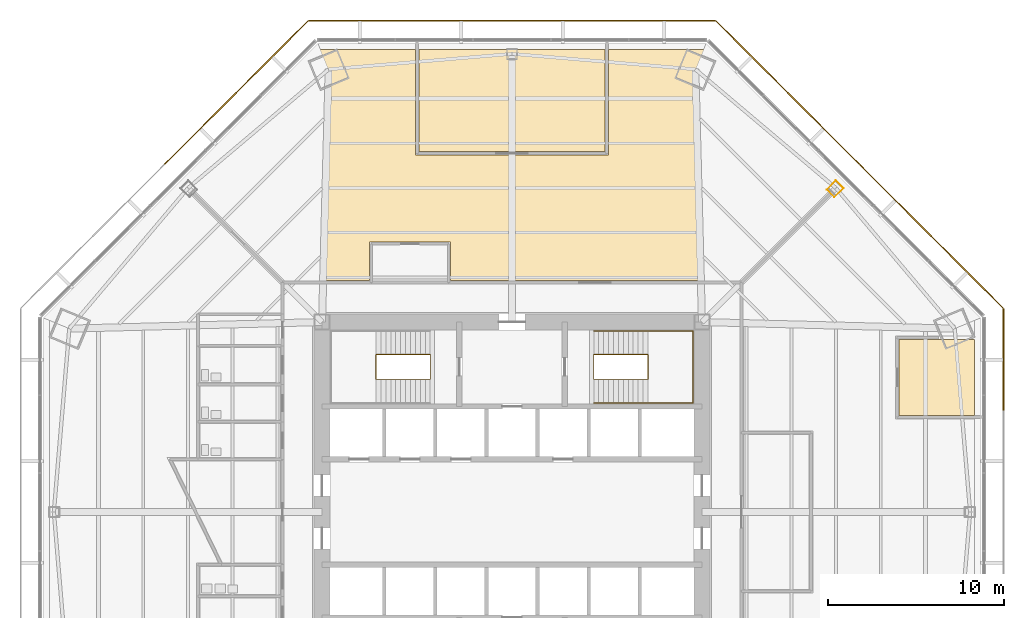
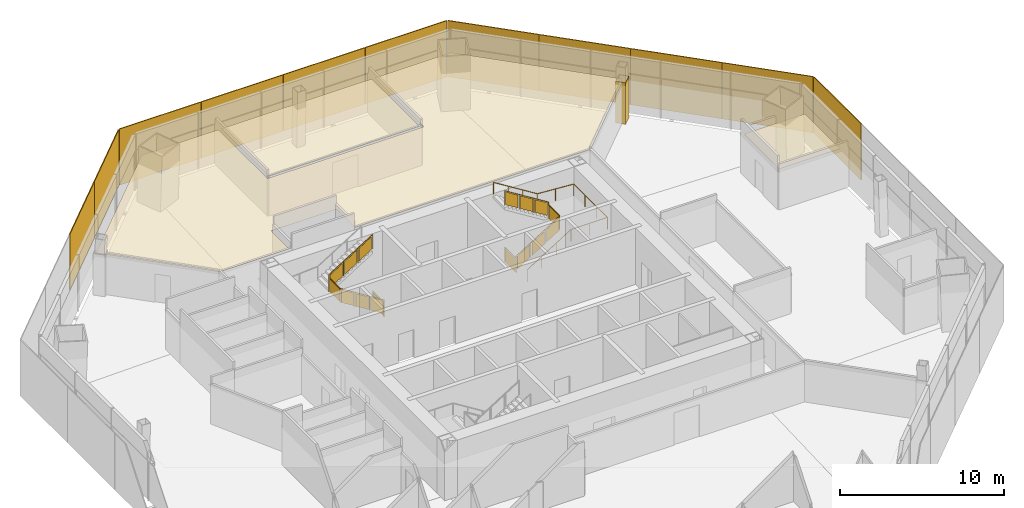
# One storey, part 13 of 14: 11 shading devices, 4 coverings, 3 railings.
"""IFC4 building model written with IfcOpenShell, lengths in metres."""

from ifc_helpers import new_model, si_unit, direction, frame, origin, origin_2d, place, context, subcontext, project, spatial, polyline, rectangle, circle, outline, extrude, source, transform, mapped, material, layer, layer_set, type_object, type_shapes, element, save


model = new_model("IFC4")

# Units and contexts
model_context = context("Model", 3, precision=1e-05, world=origin(), true_north=direction((0.0, 1.0)))
body_context = subcontext(model_context, "Body", "Model", "MODEL_VIEW")
ifc_project = project(units=[si_unit("LENGTHUNIT", "METRE"), si_unit("AREAUNIT", "SQUARE_METRE"), si_unit("VOLUMEUNIT", "CUBIC_METRE"), si_unit("PLANEANGLEUNIT", "RADIAN"), si_unit("MASSUNIT", "GRAM", prefix="KILO")], contexts=[model_context])

# Site, building, storey
site_placement = place(None, origin())
site = spatial("IfcSite", under=ifc_project, at=site_placement, CompositionType="ELEMENT")
building_placement = place(site_placement, origin())
building = spatial("IfcBuilding", under=site, at=building_placement, Name="Mashrafa Tower", CompositionType="ELEMENT")
storey_placement = place(building_placement, frame((0.0, 0.0, 41.39990234375)))
storey = spatial("IfcBuildingStorey", under=building, at=storey_placement, Name="L08", CompositionType="ELEMENT", Elevation=41.39990234375)

# Covering
ifc_material_1 = material(Name="Gypsum board")
ifc_layer_1 = layer(ifc_material_1, 0.014892578125)
ifc_layer_set_1 = layer_set([ifc_layer_1], Name="Column casing plasterboard 15")
covering_type_1 = type_object("IfcCoveringType", Name="Column casing plasterboard 15", PredefinedType="CLADDING", material=ifc_layer_set_1)
covering_1_placement = place(storey_placement, origin())
element("IfcCovering", 1, at=covering_1_placement, inside=storey, type_object=covering_type_1, Name="Column casing L08-001", PredefinedType="CLADDING", context=body_context, shape_type="SweptSolid", body=[
    extrude(outline(polyline([(17.885986328125, 18.33154296875), (18.415771484375, 18.861083984375), (18.861083984375, 18.415771484375), (18.33154296875, 17.885986328125), (17.885986328125, 18.33154296875)]), holes=[polyline([(18.83984375, 18.415771484375), (18.415771484375, 18.83984375), (17.9072265625, 18.33154296875), (18.33154296875, 17.9072265625), (18.83984375, 18.415771484375)])]), origin(), (0.0, 0.0, 1.0), 3.097900390625),
])

# Railings
ifc_material_2 = material(Name="Steel guard with glass infill", Category="steel")
railing_type_1 = type_object("IfcRailingType", Name="Stair guard 1100", PredefinedType="GUARDRAIL", material=ifc_material_2)
railing_1_placement = place(storey_placement, frame((-4.64990234375, 8.949951171875, 0.0)))
element("IfcRailing", 2, at=railing_1_placement, inside=storey, type_object=railing_type_1, Name="Stair S1 guard L08", PredefinedType="GUARDRAIL", context=body_context, shape_type="SweptSolid", body=[
    extrude(circle(Radius=0.02392578125, at=origin_2d()), frame((0.0, 0.0, 1.076171875), z_axis=(0.0, -1.0, 0.0), x_axis=(1.0, 0.0, 0.0)), (0.0, 0.0, 1.0), 1.39990234375),
    extrude(circle(Radius=0.02392578125, at=origin_2d()), frame((0.0, -1.39990234375, 1.076171875), z_axis=(0.0, 0.0, 1.0), x_axis=(1.0, 0.0, 0.0)), (0.0, 0.0, 1.0), 0.175048828125),
    extrude(circle(Radius=0.02392578125, at=origin_2d()), frame((0.0, -1.39990234375, 1.2509765625), z_axis=(-0.847998304005, 0.0, 0.529998940003), x_axis=(0.0, -1.0, 0.0)), (0.0, 0.0, 1.0), 3.632080078125),
    extrude(circle(Radius=0.02392578125, at=origin_2d()), frame((-3.080078125, -1.39990234375, 3.17626953125), z_axis=(0.0, 1.0, 0.0), x_axis=(-1.0, 0.0, 0.0)), (0.0, 0.0, 1.0), 1.39990234375),
    extrude(circle(Radius=0.02392578125, at=origin_2d()), frame((-3.080078125, 0.0, 3.17626953125), z_axis=(0.0, 0.0, 1.0), x_axis=(1.0, 0.0, 0.0)), (0.0, 0.0, 1.0), 0.175048828125),
    extrude(circle(Radius=0.02392578125, at=origin_2d()), frame((-3.080078125, 0.0, 3.35107421875), z_axis=(0.847998304005, 0.0, 0.529998940003), x_axis=(0.0, 1.0, 0.0)), (0.0, 0.0, 1.0), 3.632080078125),
    extrude(circle(Radius=0.02099609375, at=origin_2d()), origin(), (0.0, 0.0, 1.0), 1.052001953125),
    extrude(circle(Radius=0.02099609375, at=origin_2d()), frame((0.0, -1.39990234375, 0.0)), (0.0, 0.0, 1.0), 1.052001953125),
    extrude(circle(Radius=0.02099609375, at=origin_2d()), frame((0.0, -1.39990234375, 0.175048828125)), (0.0, 0.0, 1.0), 1.052001953125),
    extrude(circle(Radius=0.02099609375, at=origin_2d()), frame((-1.026611328125, -1.39990234375, 0.816650390625)), (0.0, 0.0, 1.0), 1.052001953125),
    extrude(circle(Radius=0.02099609375, at=origin_2d()), frame((-2.053466796875, -1.39990234375, 1.45849609375)), (0.0, 0.0, 1.0), 1.052001953125),
    extrude(circle(Radius=0.02099609375, at=origin_2d()), frame((-3.080078125, -1.39990234375, 2.10009765625)), (0.0, 0.0, 1.0), 1.052001953125),
    extrude(circle(Radius=0.02099609375, at=origin_2d()), frame((-3.080078125, 0.0, 2.10009765625)), (0.0, 0.0, 1.0), 1.052001953125),
    extrude(circle(Radius=0.02099609375, at=origin_2d()), frame((-3.080078125, 0.0, 2.275146484375)), (0.0, 0.0, 1.0), 1.052001953125),
    extrude(circle(Radius=0.02099609375, at=origin_2d()), frame((-2.053466796875, 0.0, 2.916748046875)), (0.0, 0.0, 1.0), 1.052001953125),
    extrude(circle(Radius=0.02099609375, at=origin_2d()), frame((-1.026611328125, 0.0, 3.55859375)), (0.0, 0.0, 1.0), 1.052001953125),
    extrude(circle(Radius=0.02099609375, at=origin_2d()), frame((0.0, 0.0, 4.2001953125)), (0.0, 0.0, 1.0), 1.052001953125),
    extrude(outline(polyline([(0.071044921875, 0.050048828125), (1.328857421875, 0.050048828125), (1.328857421875, 1.001953125), (0.071044921875, 1.001953125), (0.071044921875, 0.050048828125)])), frame((-0.006103515625, 0.0, 0.0), z_axis=(-1.0, 0.0, 0.0), x_axis=(0.0, -1.0, 0.0)), (0.0, 0.0, 1.0), 0.011962890625),
    extrude(outline(polyline([(0.071044921875, 0.094482421875), (0.955810546875, 0.647216796875), (0.955810546875, 1.599365234375), (0.071044921875, 1.04638671875), (0.071044921875, 0.094482421875)])), frame((0.0, -1.393798828125, 0.175048828125), z_axis=(0.0, 1.0, 0.0), x_axis=(-1.0, 0.0, 0.0)), (0.0, 0.0, 1.0), 0.011962890625),
    extrude(outline(polyline([(1.09765625, 0.736083984375), (1.982421875, 1.2890625), (1.982421875, 2.240966796875), (1.09765625, 1.68798828125), (1.09765625, 0.736083984375)])), frame((0.0, -1.393798828125, 0.175048828125), z_axis=(0.0, 1.0, 0.0), x_axis=(-1.0, 0.0, 0.0)), (0.0, 0.0, 1.0), 0.011962890625),
    extrude(outline(polyline([(2.124267578125, 1.377685546875), (3.009033203125, 1.9306640625), (3.009033203125, 2.882568359375), (2.124267578125, 2.329833984375), (2.124267578125, 1.377685546875)])), frame((0.0, -1.393798828125, 0.175048828125), z_axis=(0.0, 1.0, 0.0), x_axis=(-1.0, 0.0, 0.0)), (0.0, 0.0, 1.0), 0.011962890625),
    extrude(outline(polyline([(0.071044921875, 0.050048828125), (1.328857421875, 0.050048828125), (1.328857421875, 1.001953125), (0.071044921875, 1.001953125), (0.071044921875, 0.050048828125)])), frame((-3.073974609375, -1.39990234375, 2.10009765625), z_axis=(1.0, 0.0, 0.0), x_axis=(0.0, 1.0, 0.0)), (0.0, 0.0, 1.0), 0.011962890625),
    extrude(outline(polyline([(0.071044921875, 0.094482421875), (0.955810546875, 0.647216796875), (0.955810546875, 1.599365234375), (0.071044921875, 1.04638671875), (0.071044921875, 0.094482421875)])), frame((-3.080078125, -0.006103515625, 2.275146484375), z_axis=(0.0, -1.0, 0.0), x_axis=(1.0, 0.0, 0.0)), (0.0, 0.0, 1.0), 0.011962890625),
    extrude(outline(polyline([(1.09765625, 0.736083984375), (1.982421875, 1.2890625), (1.982421875, 2.240966796875), (1.09765625, 1.68798828125), (1.09765625, 0.736083984375)])), frame((-3.080078125, -0.006103515625, 2.275146484375), z_axis=(0.0, -1.0, 0.0), x_axis=(1.0, 0.0, 0.0)), (0.0, 0.0, 1.0), 0.011962890625),
    extrude(outline(polyline([(2.124267578125, 1.377685546875), (3.009033203125, 1.9306640625), (3.009033203125, 2.882568359375), (2.124267578125, 2.329833984375), (2.124267578125, 1.377685546875)])), frame((-3.080078125, -0.006103515625, 2.275146484375), z_axis=(0.0, -1.0, 0.0), x_axis=(1.0, 0.0, 0.0)), (0.0, 0.0, 1.0), 0.011962890625),
])
railing_2_placement = place(storey_placement, frame((4.64990234375, 8.949951171875, 0.0)))
element("IfcRailing", 3, at=railing_2_placement, inside=storey, type_object=railing_type_1, Name="Stair S2 guard L08", PredefinedType="GUARDRAIL", context=body_context, shape_type="SweptSolid", body=[
    extrude(circle(Radius=0.02392578125, at=origin_2d()), frame((0.0, 0.0, 1.076171875), z_axis=(0.0, -1.0, 0.0), x_axis=(1.0, 0.0, 0.0)), (0.0, 0.0, 1.0), 1.39990234375),
    extrude(circle(Radius=0.02392578125, at=origin_2d()), frame((0.0, -1.39990234375, 1.076171875), z_axis=(0.0, 0.0, 1.0), x_axis=(1.0, 0.0, 0.0)), (0.0, 0.0, 1.0), 0.175048828125),
    extrude(circle(Radius=0.02392578125, at=origin_2d()), frame((0.0, -1.39990234375, 1.2509765625), z_axis=(0.847998304005, 0.0, 0.529998940003), x_axis=(0.0, 1.0, 0.0)), (0.0, 0.0, 1.0), 3.632080078125),
    extrude(circle(Radius=0.02392578125, at=origin_2d()), frame((3.080078125, -1.39990234375, 3.17626953125), z_axis=(0.0, 1.0, 0.0), x_axis=(-1.0, 0.0, 0.0)), (0.0, 0.0, 1.0), 1.39990234375),
    extrude(circle(Radius=0.02392578125, at=origin_2d()), frame((3.080078125, 0.0, 3.17626953125), z_axis=(0.0, 0.0, 1.0), x_axis=(1.0, 0.0, 0.0)), (0.0, 0.0, 1.0), 0.175048828125),
    extrude(circle(Radius=0.02392578125, at=origin_2d()), frame((3.080078125, 0.0, 3.35107421875), z_axis=(-0.847998304005, 0.0, 0.529998940003), x_axis=(0.0, -1.0, 0.0)), (0.0, 0.0, 1.0), 3.632080078125),
    extrude(circle(Radius=0.02099609375, at=origin_2d()), origin(), (0.0, 0.0, 1.0), 1.052001953125),
    extrude(circle(Radius=0.02099609375, at=origin_2d()), frame((0.0, -1.39990234375, 0.0)), (0.0, 0.0, 1.0), 1.052001953125),
    extrude(circle(Radius=0.02099609375, at=origin_2d()), frame((0.0, -1.39990234375, 0.175048828125)), (0.0, 0.0, 1.0), 1.052001953125),
    extrude(circle(Radius=0.02099609375, at=origin_2d()), frame((1.026611328125, -1.39990234375, 0.816650390625)), (0.0, 0.0, 1.0), 1.052001953125),
    extrude(circle(Radius=0.02099609375, at=origin_2d()), frame((2.053466796875, -1.39990234375, 1.45849609375)), (0.0, 0.0, 1.0), 1.052001953125),
    extrude(circle(Radius=0.02099609375, at=origin_2d()), frame((3.080078125, -1.39990234375, 2.10009765625)), (0.0, 0.0, 1.0), 1.052001953125),
    extrude(circle(Radius=0.02099609375, at=origin_2d()), frame((3.080078125, 0.0, 2.10009765625)), (0.0, 0.0, 1.0), 1.052001953125),
    extrude(circle(Radius=0.02099609375, at=origin_2d()), frame((3.080078125, 0.0, 2.275146484375)), (0.0, 0.0, 1.0), 1.052001953125),
    extrude(circle(Radius=0.02099609375, at=origin_2d()), frame((2.053466796875, 0.0, 2.916748046875)), (0.0, 0.0, 1.0), 1.052001953125),
    extrude(circle(Radius=0.02099609375, at=origin_2d()), frame((1.026611328125, 0.0, 3.55859375)), (0.0, 0.0, 1.0), 1.052001953125),
    extrude(circle(Radius=0.02099609375, at=origin_2d()), frame((0.0, 0.0, 4.2001953125)), (0.0, 0.0, 1.0), 1.052001953125),
    extrude(outline(polyline([(0.071044921875, 0.050048828125), (1.328857421875, 0.050048828125), (1.328857421875, 1.001953125), (0.071044921875, 1.001953125), (0.071044921875, 0.050048828125)])), frame((-0.006103515625, 0.0, 0.0), z_axis=(-1.0, 0.0, 0.0), x_axis=(0.0, -1.0, 0.0)), (0.0, 0.0, 1.0), 0.011962890625),
    extrude(outline(polyline([(0.071044921875, 0.094482421875), (0.955810546875, 0.647216796875), (0.955810546875, 1.599365234375), (0.071044921875, 1.04638671875), (0.071044921875, 0.094482421875)])), frame((0.0, -1.406005859375, 0.175048828125), z_axis=(0.0, -1.0, 0.0), x_axis=(1.0, 0.0, 0.0)), (0.0, 0.0, 1.0), 0.011962890625),
    extrude(outline(polyline([(1.09765625, 0.736083984375), (1.982421875, 1.2890625), (1.982421875, 2.240966796875), (1.09765625, 1.68798828125), (1.09765625, 0.736083984375)])), frame((0.0, -1.406005859375, 0.175048828125), z_axis=(0.0, -1.0, 0.0), x_axis=(1.0, 0.0, 0.0)), (0.0, 0.0, 1.0), 0.011962890625),
    extrude(outline(polyline([(2.124267578125, 1.377685546875), (3.009033203125, 1.9306640625), (3.009033203125, 2.882568359375), (2.124267578125, 2.329833984375), (2.124267578125, 1.377685546875)])), frame((0.0, -1.406005859375, 0.175048828125), z_axis=(0.0, -1.0, 0.0), x_axis=(1.0, 0.0, 0.0)), (0.0, 0.0, 1.0), 0.011962890625),
    extrude(outline(polyline([(0.071044921875, 0.050048828125), (1.328857421875, 0.050048828125), (1.328857421875, 1.001953125), (0.071044921875, 1.001953125), (0.071044921875, 0.050048828125)])), frame((3.086181640625, -1.39990234375, 2.10009765625), z_axis=(1.0, 0.0, 0.0), x_axis=(0.0, 1.0, 0.0)), (0.0, 0.0, 1.0), 0.011962890625),
    extrude(outline(polyline([(0.071044921875, 0.094482421875), (0.955810546875, 0.647216796875), (0.955810546875, 1.599365234375), (0.071044921875, 1.04638671875), (0.071044921875, 0.094482421875)])), frame((3.080078125, 0.006103515625, 2.275146484375), z_axis=(0.0, 1.0, 0.0), x_axis=(-1.0, 0.0, 0.0)), (0.0, 0.0, 1.0), 0.011962890625),
    extrude(outline(polyline([(1.09765625, 0.736083984375), (1.982421875, 1.2890625), (1.982421875, 2.240966796875), (1.09765625, 1.68798828125), (1.09765625, 0.736083984375)])), frame((3.080078125, 0.006103515625, 2.275146484375), z_axis=(0.0, 1.0, 0.0), x_axis=(-1.0, 0.0, 0.0)), (0.0, 0.0, 1.0), 0.011962890625),
    extrude(outline(polyline([(2.124267578125, 1.377685546875), (3.009033203125, 1.9306640625), (3.009033203125, 2.882568359375), (2.124267578125, 2.329833984375), (2.124267578125, 1.377685546875)])), frame((3.080078125, 0.006103515625, 2.275146484375), z_axis=(0.0, 1.0, 0.0), x_axis=(-1.0, 0.0, 0.0)), (0.0, 0.0, 1.0), 0.011962890625),
])
ifc_material_3 = material(Name="Steel", Category="steel")
railing_type_2 = type_object("IfcRailingType", Name="Stair handrail 900", PredefinedType="HANDRAIL", material=ifc_material_3)
railing_3_placement = place(storey_placement, frame((4.64990234375, 6.199951171875, 0.175048828125)))
element("IfcRailing", 4, at=railing_3_placement, inside=storey, type_object=railing_type_2, Name="Stair S2 handrail L08", PredefinedType="HANDRAIL", context=body_context, shape_type="SweptSolid", body=[
    extrude(circle(Radius=0.02392578125, at=origin_2d()), frame((0.0, 0.0, 0.8759765625), z_axis=(0.847998304005, 0.0, 0.529998940003), x_axis=(0.0, 1.0, 0.0)), (0.0, 0.0, 1.0), 3.632080078125),
    extrude(circle(Radius=0.02392578125, at=origin_2d()), frame((3.080078125, 0.0, 2.80078125), z_axis=(1.0, 0.0, 0.0), x_axis=(0.0, 1.0, 0.0)), (0.0, 0.0, 1.0), 2.570068359375),
    extrude(circle(Radius=0.02392578125, at=origin_2d()), frame((5.650146484375, 0.0, 2.80078125), z_axis=(0.0, 1.0, 0.0), x_axis=(-1.0, 0.0, 0.0)), (0.0, 0.0, 1.0), 4.10009765625),
    extrude(circle(Radius=0.02392578125, at=origin_2d()), frame((5.650146484375, 4.10009765625, 2.80078125), z_axis=(-0.997688514158, 0.0, 0.067953136188), x_axis=(0.0, -1.0, 0.0)), (0.0, 0.0, 1.0), 2.575927734375),
    extrude(circle(Radius=0.02392578125, at=origin_2d()), frame((3.080078125, 4.10009765625, 2.97607421875), z_axis=(-0.847998304005, 0.0, 0.529998940003), x_axis=(0.0, -1.0, 0.0)), (0.0, 0.0, 1.0), 3.632080078125),
    extrude(circle(Radius=0.02099609375, at=origin_2d()), origin(), (0.0, 0.0, 1.0), 0.851806640625),
    extrude(circle(Radius=0.02099609375, at=origin_2d()), frame((1.026611328125, 0.0, 0.6416015625)), (0.0, 0.0, 1.0), 0.851806640625),
    extrude(circle(Radius=0.02099609375, at=origin_2d()), frame((2.053466796875, 0.0, 1.283447265625)), (0.0, 0.0, 1.0), 0.851806640625),
    extrude(circle(Radius=0.02099609375, at=origin_2d()), frame((3.080078125, 0.0, 1.925048828125)), (0.0, 0.0, 1.0), 0.851806640625),
    extrude(circle(Radius=0.02099609375, at=origin_2d()), frame((4.365234375, 0.0, 1.925048828125)), (0.0, 0.0, 1.0), 0.851806640625),
    extrude(circle(Radius=0.02099609375, at=origin_2d()), frame((5.650146484375, 0.0, 1.925048828125)), (0.0, 0.0, 1.0), 0.851806640625),
    extrude(circle(Radius=0.02099609375, at=origin_2d()), frame((5.650146484375, 1.36669921875, 1.925048828125)), (0.0, 0.0, 1.0), 0.851806640625),
    extrude(circle(Radius=0.02099609375, at=origin_2d()), frame((5.650146484375, 2.7333984375, 1.925048828125)), (0.0, 0.0, 1.0), 0.851806640625),
    extrude(circle(Radius=0.02099609375, at=origin_2d()), frame((5.650146484375, 4.10009765625, 1.925048828125)), (0.0, 0.0, 1.0), 0.851806640625),
    extrude(circle(Radius=0.02099609375, at=origin_2d()), frame((4.365234375, 4.10009765625, 2.0126953125)), (0.0, 0.0, 1.0), 0.851806640625),
    extrude(circle(Radius=0.02099609375, at=origin_2d()), frame((3.080078125, 4.10009765625, 2.10009765625)), (0.0, 0.0, 1.0), 0.851806640625),
    extrude(circle(Radius=0.02099609375, at=origin_2d()), frame((2.053466796875, 4.10009765625, 2.74169921875)), (0.0, 0.0, 1.0), 0.851806640625),
    extrude(circle(Radius=0.02099609375, at=origin_2d()), frame((1.026611328125, 4.10009765625, 3.383544921875)), (0.0, 0.0, 1.0), 0.851806640625),
    extrude(circle(Radius=0.02099609375, at=origin_2d()), frame((0.0, 4.10009765625, 4.025146484375)), (0.0, 0.0, 1.0), 0.851806640625),
])

# Coverings
ifc_material_4 = material(Name="Mineral fibre tile on suspension grid")
ifc_layer_2 = layer(ifc_material_4, 0.014892578125)
ifc_layer_set_2 = layer_set([ifc_layer_2], Name="Suspended ceiling mineral tile 15")
covering_type_2 = type_object("IfcCoveringType", Name="Suspended ceiling mineral tile 15", PredefinedType="CEILING", material=ifc_layer_set_2)
covering_2_placement = place(storey_placement, frame((0.0, 0.0, 2.85009765625)))
element("IfcCovering", 5, at=covering_2_placement, inside=storey, type_object=covering_type_2, Name="Ceiling Board Room 08", PredefinedType="CEILING", context=body_context, shape_type="SweptSolid", body=[
    extrude(outline(polyline([(-5.300048828125, 26.293701171875), (5.300048828125, 26.293701171875), (5.300048828125, 20.49365234375), (-5.300048828125, 20.49365234375), (-5.300048828125, 26.293701171875)])), origin(), (0.0, 0.0, 1.0), 0.014892578125),
])
covering_3_placement = place(storey_placement, frame((0.0, 0.0, 2.900146484375)))
element("IfcCovering", 6, at=covering_3_placement, inside=storey, type_object=covering_type_2, Name="Ceiling Meeting Room 08-1", PredefinedType="CEILING", context=body_context, shape_type="SweptSolid", body=[
    extrude(outline(polyline([(21.99365234375, 9.800048828125), (26.293701171875, 9.800048828125), (26.293701171875, 5.5), (21.99365234375, 5.5), (21.99365234375, 9.800048828125)])), origin(), (0.0, 0.0, 1.0), 0.014892578125),
])
covering_4_placement = place(storey_placement, frame((0.0, 0.0, 2.85009765625)))
element("IfcCovering", 7, at=covering_4_placement, inside=storey, type_object=covering_type_2, Name="Ceiling Corporate Banking Office 08", PredefinedType="CEILING", context=body_context, shape_type="SweptSolid", body=[
    extrude(outline(polyline([(-13.008544921875, 13.14990234375), (-18.521484375, 18.6630859375), (-10.89111328125, 26.293701171875), (-5.5, 26.293701171875), (-5.5, 20.293701171875), (5.5, 20.293701171875), (5.5, 26.293701171875), (10.89111328125, 26.293701171875), (18.521484375, 18.6630859375), (13.008544921875, 13.14990234375), (-3.5, 13.14990234375), (-3.5, 15.35009765625), (-8.10009765625, 15.35009765625), (-8.10009765625, 13.14990234375), (-13.008544921875, 13.14990234375)])), origin(), (0.0, 0.0, 1.0), 0.014892578125),
])

# Shading devices
ifc_material_5 = material(Name="Perforated aluminium plate, eight-point star pattern", Category="aluminium")
ifc_layer_3 = layer(ifc_material_5, 0.06005859375)
ifc_layer_set_3 = layer_set([ifc_layer_3], Name="Mashrabiya screen panel office zone 1, 45 percent open")
shading_device_type = type_object("IfcShadingDeviceType", Name="Mashrabiya screen panel office zone 1, 45 percent open", PredefinedType="SHUTTER", material=ifc_layer_set_3)
shared_shape = source(origin(), body_context, "Body", "SweptSolid", [
    extrude(rectangle(XDim=5.756103515625, YDim=0.06005859375, at=origin_2d()), origin(), (0.0, 0.0, 1.0), 4.179931640625),
])
type_shapes(shading_device_type, [shared_shape])
for number, where, z_axis, x_axis, name in (
    (8, (27.943603515625, 8.6640625, -0.14990234375), (0.0, 0.0, 1.0), (0.0, 1.0, 0.0), "Mashrabiya screen L08 east 4"),
    (9, (25.885498046875, 13.632568359375, -0.14990234375), (0.0, 0.0, 1.0), (-0.707106781187, 0.707106781187, 0.0), "Mashrabiya screen L08 north-east 1"),
    (10, (21.80126953125, 17.717041015625, -0.14990234375), (0.0, 0.0, 1.0), (-0.707106781187, 0.707106781187, 0.0), "Mashrabiya screen L08 north-east 2"),
    (11, (17.717041015625, 21.80126953125, -0.14990234375), (0.0, 0.0, 1.0), (-0.707106781187, 0.707106781187, 0.0), "Mashrabiya screen L08 north-east 3"),
    (12, (13.632568359375, 25.885498046875, -0.14990234375), (0.0, 0.0, 1.0), (-0.707106781187, 0.707106781187, 0.0), "Mashrabiya screen L08 north-east 4"),
    (13, (8.6640625, 27.943603515625, -0.14990234375), (0.0, 0.0, 1.0), (-1.0, 0.0, 0.0), "Mashrabiya screen L08 north 1"),
    (14, (2.887939453125, 27.943603515625, -0.14990234375), (0.0, 0.0, 1.0), (-1.0, 0.0, 0.0), "Mashrabiya screen L08 north 2"),
    (15, (-2.887939453125, 27.943603515625, -0.14990234375), (0.0, 0.0, 1.0), (-1.0, 0.0, 0.0), "Mashrabiya screen L08 north 3"),
    (16, (-8.6640625, 27.943603515625, -0.14990234375), (0.0, 0.0, 1.0), (-1.0, 0.0, 0.0), "Mashrabiya screen L08 north 4"),
    (17, (-13.632568359375, 25.885498046875, -0.14990234375), (0.0, 0.0, 1.0), (-0.707106781187, -0.707106781187, 0.0), "Mashrabiya screen L08 north-west 1"),
    (18, (-17.717041015625, 21.80126953125, -0.14990234375), (0.0, 0.0, 1.0), (-0.707106781187, -0.707106781187, 0.0), "Mashrabiya screen L08 north-west 2"),
):
    element("IfcShadingDevice", number, at=place(storey_placement, frame(where, z_axis=z_axis, x_axis=x_axis)), inside=storey, type_object=shading_device_type, Name=name, PredefinedType="SHUTTER", context=body_context, shape_type="MappedRepresentation", body=[
        mapped(shared_shape, transform((0.0, 0.0, 0.0))),
    ])

save(model, "model.ifc")
